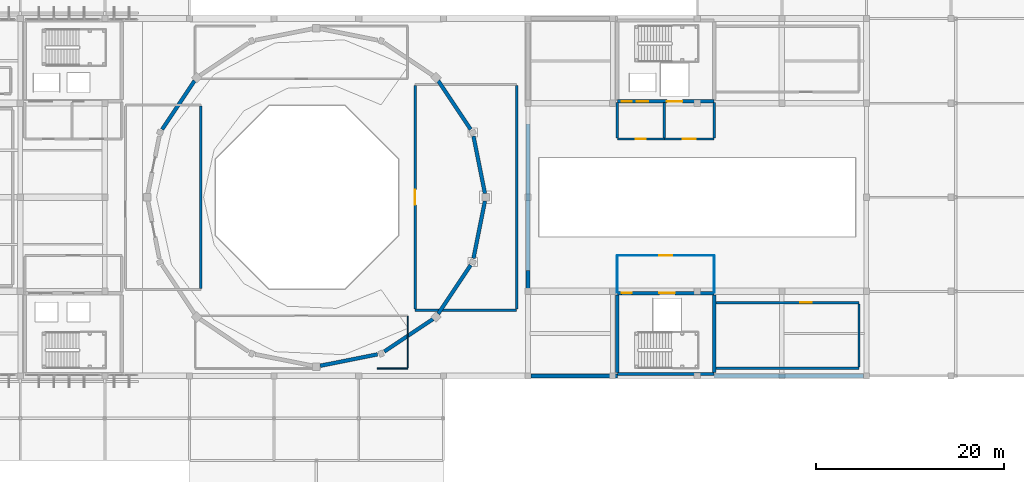
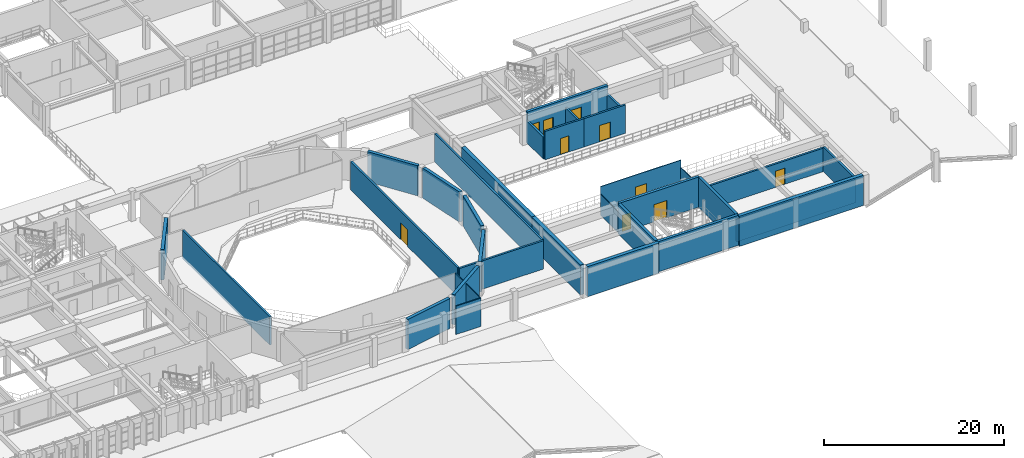
# One storey, part 70 of 80: 33 walls, 10 doors, 10 openings.
"""IFC4 building model written with IfcOpenShell, lengths in metres."""

from ifc_helpers import new_model, si_unit, direction, frame, frame_2d, origin, place, context, subcontext, project, spatial, rectangle, extrude, material, layer, layer_set, type_object, element, fill, save


model = new_model("IFC4")

# Units and contexts
model_context = context("Model", 3, precision=1e-05, world=origin(), true_north=direction((0.0, 1.0)))
body_context = subcontext(model_context, "Body", "Model", "MODEL_VIEW")
ifc_project = project(units=[si_unit("LENGTHUNIT", "METRE"), si_unit("AREAUNIT", "SQUARE_METRE"), si_unit("VOLUMEUNIT", "CUBIC_METRE"), si_unit("PLANEANGLEUNIT", "RADIAN"), si_unit("MASSUNIT", "GRAM", prefix="KILO")], contexts=[model_context])

# Site, building, storey
site_placement = place(None, origin())
site = spatial("IfcSite", under=ifc_project, at=site_placement, CompositionType="ELEMENT")
building_placement = place(site_placement, origin())
building = spatial("IfcBuilding", under=site, at=building_placement, Name="Miravela Opera House", CompositionType="ELEMENT")
storey_placement = place(building_placement, frame((0.0, 0.0, 17.679931640625)))
storey = spatial("IfcBuildingStorey", under=building, at=storey_placement, Name="L04", CompositionType="ELEMENT", Elevation=17.679931640625)

# Wall, opening, door
ifc_material_1 = material(Name="Acoustic metal-stud gypsum partition")
ifc_layer_1 = layer(ifc_material_1, 0.090087890625)
ifc_layer_set_1 = layer_set([ifc_layer_1])
wall_type_1 = type_object("IfcWallType", Name="ARC-PT-090", PredefinedType="PARTITIONING", material=ifc_layer_set_1)
wall_1_placement = place(storey_placement, frame((108.5, 49.800048828125, 0.0), z_axis=(0.0, 0.0, 1.0), x_axis=(1.0, 0.0, 0.0)))
wall_1 = element("IfcWall", 1, at=wall_1_placement, inside=storey, type_object=wall_type_1, Name="Passenger Lift Lobby K4 L04 Partition North", PredefinedType="PARTITIONING", context=body_context, shape_type="SweptSolid", body=[
    extrude(rectangle(XDim=10.300048828125, YDim=0.090087890625, at=frame_2d((5.14990234375, 0.0))), origin(), (0.0, 0.0, 1.0), 3.840087890625),
])
opening_1_placement = place(wall_1_placement, frame((4.449951171875, 0.0, 0.0)))
opening_1 = element("IfcOpeningElement", 2, at=opening_1_placement, cuts=wall_1, Name="Opening FD-03", PredefinedType="OPENING", context=body_context, shape_type="SweptSolid", body=[
    extrude(rectangle(XDim=1.39990234375, YDim=2.199951171875, at=frame_2d((0.699951171875, 1.10009765625))), frame((0.0, 0.054931640625, 0.0), z_axis=(0.0, -1.0, 0.0), x_axis=(1.0, 0.0, 0.0)), (0.0, 0.0, 1.0), 0.110107421875),
])
ifc_material_2 = material(Name="Fire-rated lobby/archive double door")
door_type_1 = type_object("IfcDoorType", Name="ARC-FD-1400X2200", OperationType="NOTDEFINED", PredefinedType="DOOR", material=ifc_material_2)
door_1_placement = place(opening_1_placement, origin())
door_1 = element("IfcDoor", 3, at=door_1_placement, inside=storey, type_object=door_type_1, Name="Passenger Lift Lobby K4 L04 Entry Door IDR-L04-0306", OperationType="DOUBLE_DOOR_SINGLE_SWING", OverallHeight=2.199951171875, OverallWidth=1.39990234375, PredefinedType="DOOR", context=body_context, shape_type="SweptSolid", body=[
    extrude(rectangle(XDim=1.39990234375, YDim=2.199951171875, at=frame_2d((0.699951171875, 1.10009765625))), frame((0.0, 0.02490234375, 0.0), z_axis=(0.0, -1.0, 0.0), x_axis=(1.0, 0.0, 0.0)), (0.0, 0.0, 1.0), 0.050048828125),
])
fill(opening_1, door_1)

# Walls
for number, where, z_axis, x_axis, name in (
    (4, (108.5, 45.844970703125, 0.0), (0.0, 0.0, 1.0), (0.0, 1.0, 0.0), "Passenger Lift Lobby K4 L04 Partition West"),
    (5, (118.800048828125, 45.844970703125, 0.0), (0.0, 0.0, 1.0), (0.0, 1.0, 0.0), "Passenger Lift Lobby K4 L04 Partition East"),
):
    element("IfcWall", number, at=place(storey_placement, frame(where, z_axis=z_axis, x_axis=x_axis)), inside=storey, type_object=wall_type_1, Name=name, PredefinedType="PARTITIONING", context=body_context, shape_type="SweptSolid", body=[
        extrude(rectangle(XDim=3.909912109375, YDim=0.090087890625, at=frame_2d((1.955078125, 0.0))), origin(), (0.0, 0.0, 1.0), 2.820068359375),
    ])
ifc_material_3 = material(Name="Fire-rated acoustic gypsum partition")
ifc_layer_2 = layer(ifc_material_3, 0.1298828125)
ifc_layer_set_2 = layer_set([ifc_layer_2])
wall_type_2 = type_object("IfcWallType", Name="ARC-PT-130", PredefinedType="PARTITIONING", material=ifc_layer_set_2)
wall_2_placement = place(storey_placement, frame((82.99609375, 37.800048828125, 0.0), z_axis=(0.0, 0.0, 1.0), x_axis=(1.0, 0.0, 0.0)))
element("IfcWall", 6, at=wall_2_placement, inside=storey, type_object=wall_type_2, Name="Opera Sound Archiving and Mastering Studio Partition South 2", PredefinedType="PARTITIONING", context=body_context, shape_type="SweptSolid", body=[
    extrude(rectangle(XDim=3.203857421875, YDim=0.1298828125, at=frame_2d((1.60205078125, 0.0))), origin(), (0.0, 0.0, 1.0), 3.840087890625),
])
wall_3_placement = place(storey_placement, frame((86.199951171875, 37.864990234375, 0.0), z_axis=(0.0, 0.0, 1.0), x_axis=(0.0, 1.0, 0.0)))
element("IfcWall", 7, at=wall_3_placement, inside=storey, type_object=wall_type_2, Name="Opera Sound Archiving and Mastering Studio Partition East", PredefinedType="PARTITIONING", context=body_context, shape_type="SweptSolid", body=[
    extrude(rectangle(XDim=5.469970703125, YDim=0.1298828125, at=frame_2d((2.73486328125, 0.0))), origin(), (0.0, 0.0, 1.0), 3.840087890625),
])
ifc_material_4 = material(Name="High-STC auditorium lobby partition")
ifc_layer_3 = layer(ifc_material_4, 0.22998046875)
ifc_layer_set_3 = layer_set([ifc_layer_3])
wall_type_3 = type_object("IfcWallType", Name="ARC-PT-205", PredefinedType="PARTITIONING", material=ifc_layer_set_3)
wall_4_placement = place(storey_placement, frame((64.199951171875, 46.31494140625, 0.0), z_axis=(0.0, 0.0, 1.0), x_axis=(0.0, 1.0, 0.0)))
element("IfcWall", 8, at=wall_4_placement, inside=storey, type_object=wall_type_3, Name="Opera Auditorium West Amphitheatre Salon Partition East", PredefinedType="PARTITIONING", context=body_context, shape_type="SweptSolid", body=[
    extrude(rectangle(XDim=19.3701171875, YDim=0.22998046875, at=frame_2d((9.68505859375, 0.0))), origin(), (0.0, 0.0, 1.0), 3.840087890625),
])

# Wall, opening, door
ifc_material_5 = material(Name="Firefighting lobby compartment wall")
ifc_layer_4 = layer(ifc_material_5, 0.25)
ifc_layer_set_4 = layer_set([ifc_layer_4])
wall_type_4 = type_object("IfcWallType", Name="ARC-PT-220", PredefinedType="PARTITIONING", material=ifc_layer_set_4)
wall_5_placement = place(storey_placement, frame((108.5, 62.199951171875, 0.0), z_axis=(0.0, 0.0, 1.0), x_axis=(1.0, 0.0, 0.0)))
wall_5 = element("IfcWall", 9, at=wall_5_placement, inside=storey, type_object=wall_type_4, Name="Firefighting Lobby K3 L04 Partition South", PredefinedType="PARTITIONING", context=body_context, shape_type="SweptSolid", body=[
    extrude(rectangle(XDim=5.0, YDim=0.25, at=frame_2d((2.5, 0.0))), origin(), (0.0, 0.0, 1.0), 3.840087890625),
])
opening_2_placement = place(wall_5_placement, frame((1.949951171875, 0.0, 0.0)))
opening_2 = element("IfcOpeningElement", 10, at=opening_2_placement, cuts=wall_5, Name="Opening FD-01", PredefinedType="OPENING", context=body_context, shape_type="SweptSolid", body=[
    extrude(rectangle(XDim=1.10009765625, YDim=2.199951171875, at=frame_2d((0.550048828125, 1.10009765625))), frame((0.0, 0.135009765625, 0.0), z_axis=(0.0, -1.0, 0.0), x_axis=(1.0, 0.0, 0.0)), (0.0, 0.0, 1.0), 0.27001953125),
])
ifc_material_6 = material(Name="Fire-rated steel/hardwood exit stair door", Category="steel")
door_type_2 = type_object("IfcDoorType", Name="ARC-FD-1100X2200", OperationType="NOTDEFINED", PredefinedType="DOOR", material=ifc_material_6)
door_2_placement = place(opening_2_placement, frame((1.10009765625, 0.0, 0.0), z_axis=(0.0, 0.0, 1.0), x_axis=(-1.0, 0.0, 0.0)))
door_2 = element("IfcDoor", 11, at=door_2_placement, inside=storey, type_object=door_type_2, Name="Firefighting Lobby K3 L04 Entry Door IDR-L04-0304", OperationType="SINGLE_SWING_LEFT", OverallHeight=2.199951171875, OverallWidth=1.10009765625, PredefinedType="DOOR", context=body_context, shape_type="SweptSolid", body=[
    extrude(rectangle(XDim=1.10009765625, YDim=2.199951171875, at=frame_2d((0.550048828125, 1.10009765625))), frame((0.0, 0.02490234375, 0.0), z_axis=(0.0, -1.0, 0.0), x_axis=(1.0, 0.0, 0.0)), (0.0, 0.0, 1.0), 0.050048828125),
])
fill(opening_2, door_2)

# Walls
for number, where, z_axis, x_axis, name in (
    (12, (108.5, 62.324951171875, 0.0), (0.0, 0.0, 1.0), (0.0, 1.0, 0.0), "Firefighting Lobby K3 L04 Partition West"),
    (13, (113.5, 62.324951171875, 0.0), (0.0, 0.0, 1.0), (0.0, 1.0, 0.0), "Firefighting Lobby K3 L04 Partition East"),
):
    element("IfcWall", number, at=place(storey_placement, frame(where, z_axis=z_axis, x_axis=x_axis)), inside=storey, type_object=wall_type_4, Name=name, PredefinedType="PARTITIONING", context=body_context, shape_type="SweptSolid", body=[
        extrude(rectangle(XDim=3.75, YDim=0.25, at=frame_2d((1.875, 0.0))), origin(), (0.0, 0.0, 1.0), 2.969970703125),
    ])

# Wall, opening, door
wall_6_placement = place(storey_placement, frame((113.5, 62.199951171875, 0.0), z_axis=(0.0, 0.0, 1.0), x_axis=(1.0, 0.0, 0.0)))
wall_6 = element("IfcWall", 14, at=wall_6_placement, inside=storey, type_object=wall_type_4, Name="Passenger Lift Lobby K3 L04 Partition South", PredefinedType="PARTITIONING", context=body_context, shape_type="SweptSolid", body=[
    extrude(rectangle(XDim=5.300048828125, YDim=0.25, at=frame_2d((2.64990234375, 0.0))), origin(), (0.0, 0.0, 1.0), 3.840087890625),
])
opening_3_placement = place(wall_6_placement, frame((1.949951171875, 0.0, 0.0)))
opening_3 = element("IfcOpeningElement", 15, at=opening_3_placement, cuts=wall_6, Name="Opening FD-03", PredefinedType="OPENING", context=body_context, shape_type="SweptSolid", body=[
    extrude(rectangle(XDim=1.39990234375, YDim=2.199951171875, at=frame_2d((0.699951171875, 1.10009765625))), frame((0.0, 0.135009765625, 0.0), z_axis=(0.0, -1.0, 0.0), x_axis=(1.0, 0.0, 0.0)), (0.0, 0.0, 1.0), 0.27001953125),
])
door_3_placement = place(opening_3_placement, frame((1.39990234375, 0.0, 0.0), z_axis=(0.0, 0.0, 1.0), x_axis=(-1.0, 0.0, 0.0)))
door_3 = element("IfcDoor", 16, at=door_3_placement, inside=storey, type_object=door_type_1, Name="Passenger Lift Lobby K3 L04 Entry Door IDR-L04-0305", OperationType="DOUBLE_DOOR_SINGLE_SWING", OverallHeight=2.199951171875, OverallWidth=1.39990234375, PredefinedType="DOOR", context=body_context, shape_type="SweptSolid", body=[
    extrude(rectangle(XDim=1.39990234375, YDim=2.199951171875, at=frame_2d((0.699951171875, 1.10009765625))), frame((0.0, 0.02490234375, 0.0), z_axis=(0.0, -1.0, 0.0), x_axis=(1.0, 0.0, 0.0)), (0.0, 0.0, 1.0), 0.050048828125),
])
fill(opening_3, door_3)

# Walls
wall_7_placement = place(storey_placement, frame((118.800048828125, 62.324951171875, 0.0), z_axis=(0.0, 0.0, 1.0), x_axis=(0.0, 1.0, 0.0)))
element("IfcWall", 17, at=wall_7_placement, inside=storey, type_object=wall_type_4, Name="Passenger Lift Lobby K3 L04 Partition East", PredefinedType="PARTITIONING", context=body_context, shape_type="SweptSolid", body=[
    extrude(rectangle(XDim=3.75, YDim=0.25, at=frame_2d((1.875, 0.0))), origin(), (0.0, 0.0, 1.0), 2.969970703125),
])
wall_8_placement = place(storey_placement, frame((87.0, 44.0, 0.0), z_axis=(0.0, 0.0, 1.0), x_axis=(1.0, 0.0, 0.0)))
element("IfcWall", 18, at=wall_8_placement, inside=storey, type_object=wall_type_4, Name="Opera Auditorium Amphitheatre Gallery Partition South", PredefinedType="PARTITIONING", context=body_context, shape_type="SweptSolid", body=[
    extrude(rectangle(XDim=10.800048828125, YDim=0.25, at=frame_2d((5.39990234375, 0.0))), origin(), (0.0, 0.0, 1.0), 3.840087890625),
])

# Wall, opening, door
wall_9_placement = place(storey_placement, frame((87.0, 44.125, 0.0), z_axis=(0.0, 0.0, 1.0), x_axis=(0.0, 1.0, 0.0)))
wall_9 = element("IfcWall", 19, at=wall_9_placement, inside=storey, type_object=wall_type_4, Name="Opera Auditorium Amphitheatre Gallery Partition West", PredefinedType="PARTITIONING", context=body_context, shape_type="SweptSolid", body=[
    extrude(rectangle(XDim=23.75, YDim=0.25, at=frame_2d((11.875, 0.0))), origin(), (0.0, 0.0, 1.0), 3.840087890625),
])
opening_4_placement = place(wall_9_placement, frame((11.074951171875, 0.0, 0.0)))
opening_4 = element("IfcOpeningElement", 20, at=opening_4_placement, cuts=wall_9, Name="Opening FD-04", PredefinedType="OPENING", context=body_context, shape_type="SweptSolid", body=[
    extrude(rectangle(XDim=1.60009765625, YDim=2.25, at=frame_2d((0.800048828125, 1.125))), frame((0.0, 0.135009765625, 0.0), z_axis=(0.0, -1.0, 0.0), x_axis=(1.0, 0.0, 0.0)), (0.0, 0.0, 1.0), 0.27001953125),
])
ifc_material_7 = material(Name="Fire-rated rehearsal/vomitory double door")
door_type_3 = type_object("IfcDoorType", Name="ARC-FD-1600X2250", OperationType="NOTDEFINED", PredefinedType="DOOR", material=ifc_material_7)
door_4_placement = place(opening_4_placement, origin())
door_4 = element("IfcDoor", 21, at=door_4_placement, inside=storey, type_object=door_type_3, Name="Opera Auditorium Amphitheatre Gallery Entry Door IDR-L04-0311", OperationType="DOUBLE_DOOR_SINGLE_SWING", OverallHeight=2.25, OverallWidth=1.60009765625, PredefinedType="DOOR", context=body_context, shape_type="SweptSolid", body=[
    extrude(rectangle(XDim=1.60009765625, YDim=2.25, at=frame_2d((0.800048828125, 1.125))), frame((0.0, 0.02490234375, 0.0), z_axis=(0.0, -1.0, 0.0), x_axis=(1.0, 0.0, 0.0)), (0.0, 0.0, 1.0), 0.050048828125),
])
fill(opening_4, door_4)

# Walls
wall_10_placement = place(storey_placement, frame((97.800048828125, 44.125, 0.0), z_axis=(0.0, 0.0, 1.0), x_axis=(0.0, 1.0, 0.0)))
element("IfcWall", 22, at=wall_10_placement, inside=storey, type_object=wall_type_4, Name="Opera Auditorium Amphitheatre Gallery Partition East", PredefinedType="PARTITIONING", context=body_context, shape_type="SweptSolid", body=[
    extrude(rectangle(XDim=23.75, YDim=0.25, at=frame_2d((11.875, 0.0))), origin(), (0.0, 0.0, 1.0), 3.840087890625),
])
wall_11_placement = place(storey_placement, frame((118.97509765625, 37.800048828125, 0.0), z_axis=(0.0, 0.0, 1.0), x_axis=(1.0, 0.0, 0.0)))
element("IfcWall", 23, at=wall_11_placement, inside=storey, type_object=wall_type_4, Name="Stage Lighting Bridge and Winch Room Partition South", PredefinedType="PARTITIONING", context=body_context, shape_type="SweptSolid", body=[
    extrude(rectangle(XDim=15.224853515625, YDim=0.25, at=frame_2d((7.6123046875, 0.0))), origin(), (0.0, 0.0, 1.0), 3.170166015625),
])

# Wall, opening, door
wall_12_placement = place(storey_placement, frame((118.97509765625, 44.800048828125, 0.0), z_axis=(0.0, 0.0, 1.0), x_axis=(1.0, 0.0, 0.0)))
wall_12 = element("IfcWall", 24, at=wall_12_placement, inside=storey, type_object=wall_type_4, Name="Stage Lighting Bridge and Winch Room Partition North", PredefinedType="PARTITIONING", context=body_context, shape_type="SweptSolid", body=[
    extrude(rectangle(XDim=15.224853515625, YDim=0.25, at=frame_2d((7.6123046875, 0.0))), origin(), (0.0, 0.0, 1.0), 3.170166015625),
])
opening_5_placement = place(wall_12_placement, frame((8.990234375, 0.0, 0.0)))
opening_5 = element("IfcOpeningElement", 25, at=opening_5_placement, cuts=wall_12, Name="Opening FD-02", PredefinedType="OPENING", context=body_context, shape_type="SweptSolid", body=[
    extrude(rectangle(XDim=1.199951171875, YDim=2.199951171875, at=frame_2d((0.60009765625, 1.10009765625))), frame((0.0, 0.135009765625, 0.0), z_axis=(0.0, -1.0, 0.0), x_axis=(1.0, 0.0, 0.0)), (0.0, 0.0, 1.0), 0.27001953125),
])
ifc_material_8 = material(Name="Fire-rated gallery/plant exit door")
door_type_4 = type_object("IfcDoorType", Name="ARC-FD-1200X2200", OperationType="NOTDEFINED", PredefinedType="DOOR", material=ifc_material_8)
door_5_placement = place(opening_5_placement, frame((1.199951171875, 0.0, 0.0), z_axis=(0.0, 0.0, 1.0), x_axis=(-1.0, 0.0, 0.0)))
door_5 = element("IfcDoor", 26, at=door_5_placement, inside=storey, type_object=door_type_4, Name="Stage Lighting Bridge and Winch Room Entry Door IDR-L04-0314", OperationType="SINGLE_SWING_LEFT", OverallHeight=2.199951171875, OverallWidth=1.199951171875, PredefinedType="DOOR", context=body_context, shape_type="SweptSolid", body=[
    extrude(rectangle(XDim=1.199951171875, YDim=2.199951171875, at=frame_2d((0.60009765625, 1.10009765625))), frame((0.0, 0.02490234375, 0.0), z_axis=(0.0, -1.0, 0.0), x_axis=(1.0, 0.0, 0.0)), (0.0, 0.0, 1.0), 0.050048828125),
])
fill(opening_5, door_5)

# Wall
wall_13_placement = place(storey_placement, frame((134.199951171875, 37.925048828125, 0.0), z_axis=(0.0, 0.0, 1.0), x_axis=(0.0, 1.0, 0.0)))
element("IfcWall", 27, at=wall_13_placement, inside=storey, type_object=wall_type_4, Name="Stage Lighting Bridge and Winch Room Partition East", PredefinedType="PARTITIONING", context=body_context, shape_type="SweptSolid", body=[
    extrude(rectangle(XDim=6.75, YDim=0.25, at=frame_2d((3.375, 0.0))), origin(), (0.0, 0.0, 1.0), 3.360107421875),
])

# Wall, openings, doors
ifc_material_9 = material(Name="Concrete C40/50", Category="concrete")
ifc_layer_5 = layer(ifc_material_9, 0.35009765625)
ifc_layer_set_5 = layer_set([ifc_layer_5])
wall_type_5 = type_object("IfcWallType", Name="STR-WALL-CORE-350", PredefinedType="SHEAR", material=ifc_layer_set_5)
wall_14_placement = place(storey_placement, frame((108.5, 66.199951171875, 0.0), z_axis=(0.0, 0.0, 1.0), x_axis=(1.0, 0.0, 0.0)))
wall_14 = element("IfcWall", 28, at=wall_14_placement, inside=storey, type_object=wall_type_5, Name="Core K3 Shear Wall South (L04)", PredefinedType="SHEAR", context=body_context, shape_type="SweptSolid", body=[
    extrude(rectangle(XDim=10.300048828125, YDim=0.35009765625, at=frame_2d((5.14990234375, 0.0))), origin(), (0.0, 0.0, 1.0), 4.080078125),
])
opening_6_placement = place(wall_14_placement, frame((0.449951171875, 0.0, 0.0)))
opening_6 = element("IfcOpeningElement", 29, at=opening_6_placement, cuts=wall_14, Name="Opening FD-01", PredefinedType="OPENING", context=body_context, shape_type="SweptSolid", body=[
    extrude(rectangle(XDim=1.10009765625, YDim=2.199951171875, at=frame_2d((0.550048828125, 1.10009765625))), frame((0.0, 0.18505859375, 0.0), z_axis=(0.0, -1.0, 0.0), x_axis=(1.0, 0.0, 0.0)), (0.0, 0.0, 1.0), 0.3701171875),
])
opening_7_placement = place(wall_14_placement, frame((2.090087890625, 0.0, 0.0)))
opening_7 = element("IfcOpeningElement", 30, at=opening_7_placement, cuts=wall_14, Name="Opening LD-01", PredefinedType="OPENING", context=body_context, shape_type="SweptSolid", body=[
    extrude(rectangle(XDim=1.219970703125, YDim=2.199951171875, at=frame_2d((0.60986328125, 1.10009765625))), frame((0.0, 0.18505859375, 0.0), z_axis=(0.0, -1.0, 0.0), x_axis=(1.0, 0.0, 0.0)), (0.0, 0.0, 1.0), 0.3701171875),
])
opening_8_placement = place(wall_14_placement, frame((5.27490234375, 0.0, 0.0)))
opening_8 = element("IfcOpeningElement", 31, at=opening_8_placement, cuts=wall_14, Name="Opening LD-03", PredefinedType="OPENING", context=body_context, shape_type="SweptSolid", body=[
    extrude(rectangle(XDim=1.64990234375, YDim=2.340087890625, at=frame_2d((0.824951171875, 1.169921875))), frame((0.0, 0.18505859375, 0.0), z_axis=(0.0, -1.0, 0.0), x_axis=(1.0, 0.0, 0.0)), (0.0, 0.0, 1.0), 0.3701171875),
])
door_6_placement = place(opening_6_placement, origin())
door_6 = element("IfcDoor", 32, at=door_6_placement, inside=storey, type_object=door_type_2, Name="Exit Stair ST-03 Rated Door (L04) IDR-L04-0021", OperationType="SINGLE_SWING_LEFT", OverallHeight=2.199951171875, OverallWidth=1.10009765625, PredefinedType="DOOR", context=body_context, shape_type="SweptSolid", body=[
    extrude(rectangle(XDim=1.10009765625, YDim=2.199951171875, at=frame_2d((0.550048828125, 1.10009765625))), frame((0.0, 0.02490234375, 0.0), z_axis=(0.0, -1.0, 0.0), x_axis=(1.0, 0.0, 0.0)), (0.0, 0.0, 1.0), 0.050048828125),
])
fill(opening_6, door_6)
ifc_material_10 = material(Name="Brushed stainless and bronze fire-rated lift landing door")
door_type_5 = type_object("IfcDoorType", Name="ARC-LD-FFL-1200X2200", OperationType="SLIDING_TO_LEFT", PredefinedType="DOOR", material=ifc_material_10)
door_7_placement = place(opening_7_placement, origin())
door_7 = element("IfcDoor", 33, at=door_7_placement, inside=storey, type_object=door_type_5, Name="Lift Landing Door FFL-02 (L04)", OperationType="SLIDING_TO_LEFT", OverallHeight=2.199951171875, OverallWidth=1.219970703125, PredefinedType="DOOR", context=body_context, shape_type="SweptSolid", body=[
    extrude(rectangle(XDim=1.219970703125, YDim=2.199951171875, at=frame_2d((0.60986328125, 1.10009765625))), frame((0.0, 0.02490234375, 0.0), z_axis=(0.0, -1.0, 0.0), x_axis=(1.0, 0.0, 0.0)), (0.0, 0.0, 1.0), 0.050048828125),
])
fill(opening_7, door_7)
door_type_6 = type_object("IfcDoorType", Name="ARC-LD-FRT-1650X2350", OperationType="SLIDING_TO_LEFT", PredefinedType="DOOR", material=ifc_material_10)
door_8_placement = place(opening_8_placement, origin())
door_8 = element("IfcDoor", 34, at=door_8_placement, inside=storey, type_object=door_type_6, Name="Lift Landing Door FL-01 (L04)", OperationType="SLIDING_TO_LEFT", OverallHeight=2.340087890625, OverallWidth=1.64990234375, PredefinedType="DOOR", context=body_context, shape_type="SweptSolid", body=[
    extrude(rectangle(XDim=1.64990234375, YDim=2.340087890625, at=frame_2d((0.824951171875, 1.169921875))), frame((0.0, 0.02490234375, 0.0), z_axis=(0.0, -1.0, 0.0), x_axis=(1.0, 0.0, 0.0)), (0.0, 0.0, 1.0), 0.050048828125),
])
fill(opening_8, door_8)

# Wall
wall_15_placement = place(storey_placement, frame((108.5, 37.199951171875, 0.0), z_axis=(0.0, 0.0, 1.0), x_axis=(1.0, 0.0, 0.0)))
element("IfcWall", 35, at=wall_15_placement, inside=storey, type_object=wall_type_5, Name="Core K4 Shear Wall South (L04)", PredefinedType="SHEAR", context=body_context, shape_type="SweptSolid", body=[
    extrude(rectangle(XDim=10.300048828125, YDim=0.35009765625, at=frame_2d((5.14990234375, 0.0))), origin(), (0.0, 0.0, 1.0), 4.080078125),
])

# Wall, openings, doors
wall_16_placement = place(storey_placement, frame((108.5, 45.800048828125, 0.0), z_axis=(0.0, 0.0, 1.0), x_axis=(1.0, 0.0, 0.0)))
wall_16 = element("IfcWall", 36, at=wall_16_placement, inside=storey, type_object=wall_type_5, Name="Core K4 Shear Wall North (L04)", PredefinedType="SHEAR", context=body_context, shape_type="SweptSolid", body=[
    extrude(rectangle(XDim=10.300048828125, YDim=0.35009765625, at=frame_2d((5.14990234375, 0.0))), origin(), (0.0, 0.0, 1.0), 4.080078125),
])
opening_9_placement = place(wall_16_placement, frame((0.449951171875, 0.0, 0.0)))
opening_9 = element("IfcOpeningElement", 37, at=opening_9_placement, cuts=wall_16, Name="Opening FD-01", PredefinedType="OPENING", context=body_context, shape_type="SweptSolid", body=[
    extrude(rectangle(XDim=1.10009765625, YDim=2.199951171875, at=frame_2d((0.550048828125, 1.10009765625))), frame((0.0, 0.18505859375, 0.0), z_axis=(0.0, -1.0, 0.0), x_axis=(1.0, 0.0, 0.0)), (0.0, 0.0, 1.0), 0.3701171875),
])
opening_10_placement = place(wall_16_placement, frame((4.47509765625, 0.0, 0.0)))
opening_10 = element("IfcOpeningElement", 38, at=opening_10_placement, cuts=wall_16, Name="Opening LD-03", PredefinedType="OPENING", context=body_context, shape_type="SweptSolid", body=[
    extrude(rectangle(XDim=1.64990234375, YDim=2.340087890625, at=frame_2d((0.824951171875, 1.169921875))), frame((0.0, 0.18505859375, 0.0), z_axis=(0.0, -1.0, 0.0), x_axis=(1.0, 0.0, 0.0)), (0.0, 0.0, 1.0), 0.3701171875),
])
door_9_placement = place(opening_9_placement, frame((1.10009765625, 0.0, 0.0), z_axis=(0.0, 0.0, 1.0), x_axis=(-1.0, 0.0, 0.0)))
door_9 = element("IfcDoor", 39, at=door_9_placement, inside=storey, type_object=door_type_2, Name="Exit Stair ST-04 Rated Door (L04) IDR-L04-0028", OperationType="SINGLE_SWING_RIGHT", OverallHeight=2.199951171875, OverallWidth=1.10009765625, PredefinedType="DOOR", context=body_context, shape_type="SweptSolid", body=[
    extrude(rectangle(XDim=1.10009765625, YDim=2.199951171875, at=frame_2d((0.550048828125, 1.10009765625))), frame((0.0, 0.02490234375, 0.0), z_axis=(0.0, -1.0, 0.0), x_axis=(1.0, 0.0, 0.0)), (0.0, 0.0, 1.0), 0.050048828125),
])
fill(opening_9, door_9)
door_10_placement = place(opening_10_placement, origin())
door_10 = element("IfcDoor", 40, at=door_10_placement, inside=storey, type_object=door_type_6, Name="Lift Landing Door FL-02 (L04)", OperationType="SLIDING_TO_LEFT", OverallHeight=2.340087890625, OverallWidth=1.64990234375, PredefinedType="DOOR", context=body_context, shape_type="SweptSolid", body=[
    extrude(rectangle(XDim=1.64990234375, YDim=2.340087890625, at=frame_2d((0.824951171875, 1.169921875))), frame((0.0, 0.02490234375, 0.0), z_axis=(0.0, -1.0, 0.0), x_axis=(1.0, 0.0, 0.0)), (0.0, 0.0, 1.0), 0.050048828125),
])
fill(opening_10, door_10)

# Walls
for number, where, z_axis, x_axis, name in (
    (41, (108.5, 37.375, 0.0), (0.0, 0.0, 1.0), (0.0, 1.0, 0.0), "Core K4 Shear Wall West (L04)"),
    (42, (118.800048828125, 37.375, 0.0), (0.0, 0.0, 1.0), (0.0, 1.0, 0.0), "Core K4 Shear Wall East (L04)"),
):
    element("IfcWall", number, at=place(storey_placement, frame(where, z_axis=z_axis, x_axis=x_axis)), inside=storey, type_object=wall_type_5, Name=name, PredefinedType="SHEAR", context=body_context, shape_type="SweptSolid", body=[
        extrude(rectangle(XDim=8.25, YDim=0.35009765625, at=frame_2d((4.125, 0.0))), origin(), (0.0, 0.0, 1.0), 4.080078125),
    ])
ifc_layer_6 = layer(ifc_material_9, 0.39990234375)
ifc_layer_set_6 = layer_set([ifc_layer_6])
wall_type_6 = type_object("IfcWallType", Name="STR-WALL-DRUM-400", PredefinedType="SHEAR", material=ifc_layer_set_6)
wall_17_placement = place(storey_placement, frame((94.422119140625, 56.392333984375, 0.0), z_axis=(0.0, 0.0, 1.0), x_axis=(-0.195127752786, 0.980777834218, 0.0)))
element("IfcWall", 43, at=wall_17_placement, inside=storey, type_object=wall_type_6, Name="Auditorium Drum Shear Wall L04 Seg 1", PredefinedType="SHEAR", context=body_context, shape_type="SweptSolid", body=[
    extrude(rectangle(XDim=6.223388671875, YDim=0.39990234375, at=frame_2d((3.11181640625, 0.0))), origin(), (0.0, 0.0, 1.0), 4.080078125),
])
for number, where, z_axis, x_axis, name in (
    (44, (92.90771484375, 63.220947265625, 0.0), (0.0, 0.0, 1.0), (-0.555587101324, 0.831458341015, 0.0), "Auditorium Drum Shear Wall L04 Seg 2"),
    (45, (63.5498046875, 68.395263671875, 0.0), (0.0, 0.0, 1.0), (-0.555587101324, -0.831458341015, 0.0), "Auditorium Drum Shear Wall L04 Seg 7"),
):
    element("IfcWall", number, at=place(storey_placement, frame(where, z_axis=z_axis, x_axis=x_axis)), inside=storey, type_object=wall_type_6, Name=name, PredefinedType="SHEAR", context=body_context, shape_type="SweptSolid", body=[
        extrude(rectangle(XDim=6.22314453125, YDim=0.39990234375, at=frame_2d((3.111572265625, 0.0))), origin(), (0.0, 0.0, 1.0), 4.080078125),
    ])
wall_18_placement = place(storey_placement, frame((76.892333984375, 38.077880859375, 0.0), z_axis=(0.0, 0.0, 1.0), x_axis=(0.980777834218, 0.195127752786, 0.0)))
element("IfcWall", 46, at=wall_18_placement, inside=storey, type_object=wall_type_6, Name="Auditorium Drum Shear Wall L04 Seg 13", PredefinedType="SHEAR", context=body_context, shape_type="SweptSolid", body=[
    extrude(rectangle(XDim=6.223388671875, YDim=0.39990234375, at=frame_2d((3.11181640625, 0.0))), origin(), (0.0, 0.0, 1.0), 4.080078125),
])
for number, where, z_axis, x_axis, name in (
    (47, (83.720947265625, 39.59228515625, 0.0), (0.0, 0.0, 1.0), (0.831458341015, 0.555587101324, 0.0), "Auditorium Drum Shear Wall L04 Seg 14"),
    (48, (89.4501953125, 43.604736328125, 0.0), (0.0, 0.0, 1.0), (0.555587101324, 0.831458341015, 0.0), "Auditorium Drum Shear Wall L04 Seg 15"),
):
    element("IfcWall", number, at=place(storey_placement, frame(where, z_axis=z_axis, x_axis=x_axis)), inside=storey, type_object=wall_type_6, Name=name, PredefinedType="SHEAR", context=body_context, shape_type="SweptSolid", body=[
        extrude(rectangle(XDim=6.22314453125, YDim=0.39990234375, at=frame_2d((3.111572265625, 0.0))), origin(), (0.0, 0.0, 1.0), 4.080078125),
    ])
wall_19_placement = place(storey_placement, frame((93.207763671875, 49.50390625, 0.0), z_axis=(0.0, 0.0, 1.0), x_axis=(0.195127752786, 0.980777834218, 0.0)))
element("IfcWall", 49, at=wall_19_placement, inside=storey, type_object=wall_type_6, Name="Auditorium Drum Shear Wall L04 Seg 16", PredefinedType="SHEAR", context=body_context, shape_type="SweptSolid", body=[
    extrude(rectangle(XDim=6.223388671875, YDim=0.39990234375, at=frame_2d((3.11181640625, 0.0))), origin(), (0.0, 0.0, 1.0), 4.080078125),
])
ifc_layer_7 = layer(ifc_material_9, 0.449951171875)
ifc_layer_set_7 = layer_set([ifc_layer_7])
wall_type_7 = type_object("IfcWallType", Name="STR-WALL-PROSC-450", PredefinedType="SHEAR", material=ifc_layer_set_7)
wall_20_placement = place(storey_placement, frame((99.0, 37.449951171875, 0.0), z_axis=(0.0, 0.0, 1.0), x_axis=(0.0, 1.0, 0.0)))
element("IfcWall", 50, at=wall_20_placement, inside=storey, type_object=wall_type_7, Name="Proscenium Shear Wall South (L04)", PredefinedType="SHEAR", context=body_context, shape_type="SweptSolid", body=[
    extrude(rectangle(XDim=10.75, YDim=0.449951171875, at=frame_2d((5.375, 0.0))), origin(), (0.0, 0.0, 1.0), 4.080078125),
])
wall_21_placement = place(storey_placement, frame((99.0, 48.199951171875, 0.0), z_axis=(0.0, 0.0, 1.0), x_axis=(0.0, 1.0, 0.0)))
element("IfcWall", 51, at=wall_21_placement, inside=storey, type_object=wall_type_7, Name="Proscenium Header Shear Wall (L04)", PredefinedType="SHEAR", context=body_context, shape_type="SweptSolid", body=[
    extrude(rectangle(XDim=15.60009765625, YDim=0.449951171875, at=frame_2d((7.800048828125, 0.0))), origin(), (0.0, 0.0, 1.0), 4.080078125),
])
wall_22_placement = place(storey_placement, frame((99.324951171875, 37.0, 0.0), z_axis=(0.0, 0.0, 1.0), x_axis=(1.0, 0.0, 0.0)))
element("IfcWall", 52, at=wall_22_placement, inside=storey, type_object=wall_type_7, Name="Stage House South Shear Wall W (L04)", PredefinedType="SHEAR", context=body_context, shape_type="SweptSolid", body=[
    extrude(rectangle(XDim=9.175048828125, YDim=0.449951171875, at=frame_2d((4.58740234375, 0.0))), origin(), (0.0, 0.0, 1.0), 4.080078125),
])
wall_23_placement = place(storey_placement, frame((118.800048828125, 37.0, 0.0), z_axis=(0.0, 0.0, 1.0), x_axis=(1.0, 0.0, 0.0)))
element("IfcWall", 53, at=wall_23_placement, inside=storey, type_object=wall_type_7, Name="Stage House South Shear Wall E (L04)", PredefinedType="SHEAR", context=body_context, shape_type="SweptSolid", body=[
    extrude(rectangle(XDim=15.875, YDim=0.449951171875, at=frame_2d((7.9375, 0.0))), origin(), (0.0, 0.0, 1.0), 4.080078125),
])

save(model, "model.ifc")
